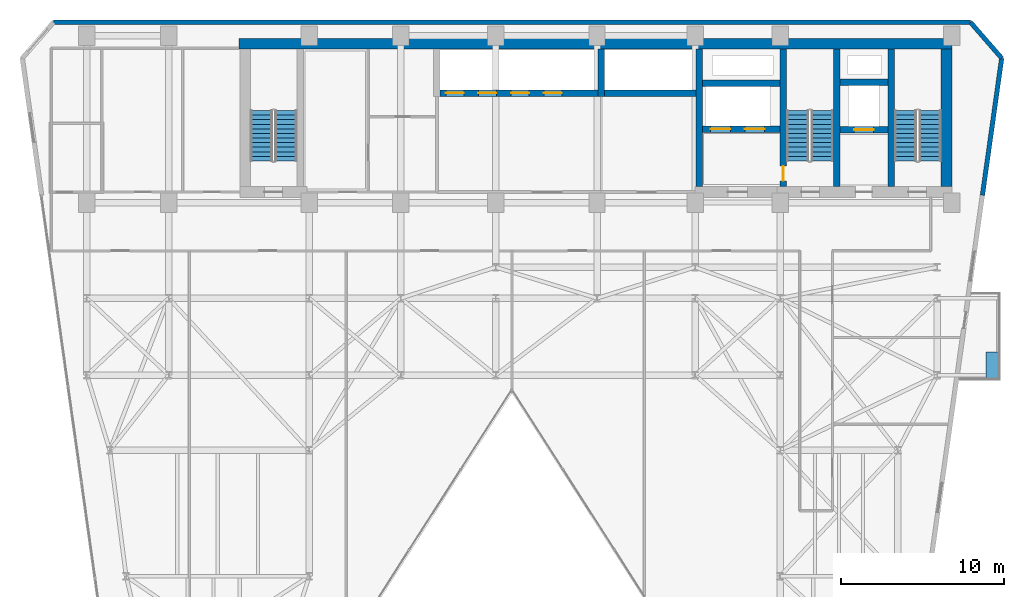
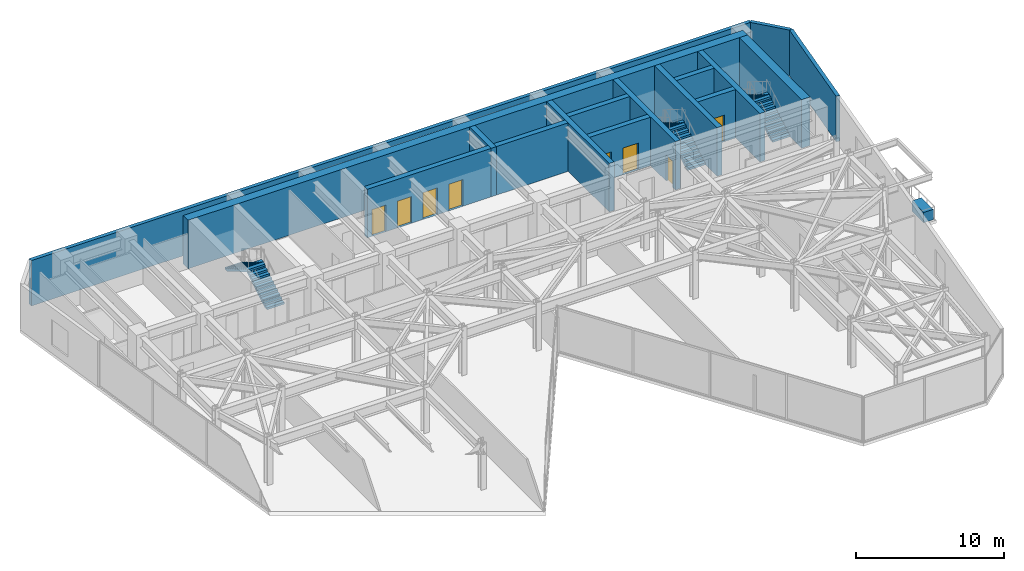
# One storey, part 23 of 26: 16 walls, 8 doors, 6 stair flights, 1 discrete accessory, 8 openings, 3 elements without a shape of their own.
"""IFC4 building model written with IfcOpenShell, lengths in metres."""

from ifc_helpers import new_model, si_unit, direction, frame, frame_2d, origin, origin_2d, place, context, subcontext, project, spatial, polyline, rectangle, outline, extrude, material, layer, layer_set, type_object, element, fill, aggregate, save


model = new_model("IFC4")

# Units and contexts
model_context = context("Model", 3, precision=1e-05, world=origin(), true_north=direction((0.0, 1.0)))
body_context = subcontext(model_context, "Body", "Model", "MODEL_VIEW")
ifc_project = project(units=[si_unit("LENGTHUNIT", "METRE"), si_unit("AREAUNIT", "SQUARE_METRE"), si_unit("VOLUMEUNIT", "CUBIC_METRE"), si_unit("PLANEANGLEUNIT", "RADIAN"), si_unit("MASSUNIT", "GRAM", prefix="KILO")], contexts=[model_context])

# Site, building, storey
site_placement = place(None, origin())
site = spatial("IfcSite", under=ifc_project, at=site_placement, CompositionType="ELEMENT")
building_placement = place(site_placement, origin())
building = spatial("IfcBuilding", under=site, at=building_placement, Name="Kravanh Interchange Tower", CompositionType="ELEMENT")
storey_placement = place(building_placement, frame((0.0, 0.0, 128.0)))
storey = spatial("IfcBuildingStorey", under=building, at=storey_placement, Name="L30", CompositionType="ELEMENT", Elevation=128.0)

# Walls
ifc_material_1 = material(Name="Concrete C70/85", Category="concrete")
ifc_layer_1 = layer(ifc_material_1, 0.64990234375)
ifc_layer_set_1 = layer_set([ifc_layer_1], Name="Core Shear Wall Concrete C70/85 650mm")
wall_type_1 = type_object("IfcWallType", Name="Core Shear Wall Concrete C70/85 650mm", PredefinedType="SHEAR", material=ifc_layer_set_1)
wall_1_placement = place(storey_placement, frame((22.89990234375, 47.074951171875, 0.0), z_axis=(0.0, 0.0, 1.0), x_axis=(1.0, 0.0, 0.0)))
element("IfcWall", 1, at=wall_1_placement, inside=storey, type_object=wall_type_1, Name="L30 North Core Shear Wall", PredefinedType="SHEAR", context=body_context, shape_type="SweptSolid", body=[
    extrude(rectangle(XDim=43.60009765625, YDim=0.64990234375, at=frame_2d((21.800048828125, 0.0))), origin(), (0.0, 0.0, 1.0), 4.0),
])
wall_2_placement = place(storey_placement, frame((66.175048828125, 38.324951171875, 0.0), z_axis=(0.0, 0.0, 1.0), x_axis=(0.0, 1.0, 0.0)))
element("IfcWall", 2, at=wall_2_placement, inside=storey, type_object=wall_type_1, Name="L30 Stair ST1 East Shear Wall", PredefinedType="SHEAR", context=body_context, shape_type="SweptSolid", body=[
    extrude(rectangle(XDim=8.425048828125, YDim=0.64990234375, at=frame_2d((4.21240234375, 0.0))), origin(), (0.0, 0.0, 1.0), 4.0),
])
ifc_material_2 = material(Name="Concrete C80/95", Category="concrete")
ifc_layer_2 = layer(ifc_material_2, 0.39990234375)
ifc_layer_set_2 = layer_set([ifc_layer_2], Name="Core Shear Wall Concrete C80/95 400mm")
wall_type_2 = type_object("IfcWallType", Name="Core Shear Wall Concrete C80/95 400mm", PredefinedType="SHEAR", material=ifc_layer_set_2)
for number, where, z_axis, x_axis, name in (
    (3, (62.800048828125, 38.324951171875, 0.0), (0.0, 0.0, 1.0), (0.0, 1.0, 0.0), "L30 Stair ST1 West Shear Wall"),
    (4, (59.449951171875, 38.324951171875, 0.0), (0.0, 0.0, 1.0), (0.0, 1.0, 0.0), "L30 Stair ST2 East Shear Wall"),
):
    element("IfcWall", number, at=place(storey_placement, frame(where, z_axis=z_axis, x_axis=x_axis)), inside=storey, type_object=wall_type_2, Name=name, PredefinedType="SHEAR", context=body_context, shape_type="SweptSolid", body=[
        extrude(rectangle(XDim=8.425048828125, YDim=0.39990234375, at=frame_2d((4.21240234375, 0.0))), origin(), (0.0, 0.0, 1.0), 4.0),
    ])

# Wall, opening, door
wall_3_placement = place(storey_placement, frame((56.199951171875, 38.324951171875, 0.0), z_axis=(0.0, 0.0, 1.0), x_axis=(0.0, 1.0, 0.0)))
wall_3 = element("IfcWall", 5, at=wall_3_placement, inside=storey, type_object=wall_type_2, Name="L30 Stair ST2 West Shear Wall", PredefinedType="SHEAR", context=body_context, shape_type="SweptSolid", body=[
    extrude(rectangle(XDim=8.425048828125, YDim=0.39990234375, at=frame_2d((4.21240234375, 0.0))), origin(), (0.0, 0.0, 1.0), 4.0),
])
opening_1_placement = place(wall_3_placement, frame((0.35498046875, 0.0, 0.0)))
opening_1 = element("IfcOpeningElement", 6, at=opening_1_placement, cuts=wall_3, Name="Opening D-STAIR-90", PredefinedType="OPENING", context=body_context, shape_type="SweptSolid", body=[
    extrude(rectangle(XDim=0.89990234375, YDim=2.14990234375, at=frame_2d((0.449951171875, 1.074951171875))), frame((0.0, 0.2099609375, 0.0), z_axis=(0.0, -1.0, 0.0), x_axis=(1.0, 0.0, 0.0)), (0.0, 0.0, 1.0), 0.419921875),
])
ifc_material_3 = material(Name="Structural Steel S355", Category="steel")
door_type_1 = type_object("IfcDoorType", Name="Fire-Rated Stair Lobby Door 900x2150", OperationType="NOTDEFINED", PredefinedType="DOOR", material=ifc_material_3)
door_1_placement = place(opening_1_placement, origin())
door_1 = element("IfcDoor", 7, at=door_1_placement, inside=storey, type_object=door_type_1, Name="L30 Firefighting Lobby to Stair ST2 Door", OperationType="SINGLE_SWING_LEFT", OverallHeight=2.14990234375, OverallWidth=0.89990234375, PredefinedType="DOOR", context=body_context, shape_type="SweptSolid", body=[
    extrude(rectangle(XDim=0.89990234375, YDim=2.14990234375, at=frame_2d((0.449951171875, 1.074951171875))), frame((0.0, 0.02490234375, 0.0), z_axis=(0.0, -1.0, 0.0), x_axis=(1.0, 0.0, 0.0)), (0.0, 0.0, 1.0), 0.050048828125),
])
fill(opening_1, door_1)

wall_4_placement = place(storey_placement, frame((59.64990234375, 41.800048828125, 0.0), z_axis=(0.0, 0.0, 1.0), x_axis=(1.0, 0.0, 0.0)))
wall_4 = element("IfcWall", 8, at=wall_4_placement, inside=storey, type_object=wall_type_2, Name="L30 Service Lift Shaft South Wall", PredefinedType="SHEAR", context=body_context, shape_type="SweptSolid", body=[
    extrude(rectangle(XDim=2.9501953125, YDim=0.39990234375, at=frame_2d((1.47509765625, 0.0))), origin(), (0.0, 0.0, 1.0), 4.0),
])
opening_2_placement = place(wall_4_placement, frame((0.8701171875, 0.0, 0.0)))
opening_2 = element("IfcOpeningElement", 9, at=opening_2_placement, cuts=wall_4, Name="Opening LD02", PredefinedType="OPENING", context=body_context, shape_type="SweptSolid", body=[
    extrude(rectangle(XDim=1.199951171875, YDim=2.199951171875, at=frame_2d((0.60009765625, 1.10009765625))), frame((0.0, 0.2099609375, 0.0), z_axis=(0.0, -1.0, 0.0), x_axis=(1.0, 0.0, 0.0)), (0.0, 0.0, 1.0), 0.419921875),
])
ifc_material_4 = material(Name="Stainless Steel 316", Category="steel")
door_type_2 = type_object("IfcDoorType", Name="Fire and Service Lift Sliding Landing Door 1200x2200", OperationType="DOUBLE_DOOR_SLIDING", PredefinedType="DOOR", material=ifc_material_4)
door_2_placement = place(opening_2_placement, origin())
door_2 = element("IfcDoor", 10, at=door_2_placement, inside=storey, type_object=door_type_2, Name="L30 Lift LS-01 Landing Door", OperationType="DOUBLE_DOOR_SLIDING", OverallHeight=2.199951171875, OverallWidth=1.199951171875, PredefinedType="DOOR", context=body_context, shape_type="SweptSolid", body=[
    extrude(rectangle(XDim=1.199951171875, YDim=2.199951171875, at=frame_2d((0.60009765625, 1.10009765625))), frame((0.0, 0.02490234375, 0.0), z_axis=(0.0, -1.0, 0.0), x_axis=(1.0, 0.0, 0.0)), (0.0, 0.0, 1.0), 0.050048828125),
])
fill(opening_2, door_2)

# Wall
wall_5_placement = place(storey_placement, frame((59.64990234375, 44.699951171875, 0.0), z_axis=(0.0, 0.0, 1.0), x_axis=(1.0, 0.0, 0.0)))
element("IfcWall", 11, at=wall_5_placement, inside=storey, type_object=wall_type_2, Name="L30 Service Lift Shaft North Wall", PredefinedType="SHEAR", context=body_context, shape_type="SweptSolid", body=[
    extrude(rectangle(XDim=2.9501953125, YDim=0.39990234375, at=frame_2d((1.47509765625, 0.0))), origin(), (0.0, 0.0, 1.0), 4.0),
])

# Wall, openings, doors
wall_6_placement = place(storey_placement, frame((51.25, 41.85009765625, 0.0), z_axis=(0.0, 0.0, 1.0), x_axis=(1.0, 0.0, 0.0)))
wall_6 = element("IfcWall", 12, at=wall_6_placement, inside=storey, type_object=wall_type_2, Name="L30 Fire Lift Shaft South Wall", PredefinedType="SHEAR", context=body_context, shape_type="SweptSolid", body=[
    extrude(rectangle(XDim=4.75, YDim=0.39990234375, at=frame_2d((2.375, 0.0))), origin(), (0.0, 0.0, 1.0), 4.0),
])
opening_3_placement = place(wall_6_placement, frame((0.5, 0.0, 0.0)))
opening_3 = element("IfcOpeningElement", 13, at=opening_3_placement, cuts=wall_6, Name="Opening LD02", PredefinedType="OPENING", context=body_context, shape_type="SweptSolid", body=[
    extrude(rectangle(XDim=1.199951171875, YDim=2.199951171875, at=frame_2d((0.60009765625, 1.10009765625))), frame((0.0, 0.2099609375, 0.0), z_axis=(0.0, -1.0, 0.0), x_axis=(1.0, 0.0, 0.0)), (0.0, 0.0, 1.0), 0.419921875),
])
opening_4_placement = place(wall_6_placement, frame((2.60009765625, 0.0, 0.0)))
opening_4 = element("IfcOpeningElement", 14, at=opening_4_placement, cuts=wall_6, Name="Opening LD02", PredefinedType="OPENING", context=body_context, shape_type="SweptSolid", body=[
    extrude(rectangle(XDim=1.199951171875, YDim=2.199951171875, at=frame_2d((0.60009765625, 1.10009765625))), frame((0.0, 0.2099609375, 0.0), z_axis=(0.0, -1.0, 0.0), x_axis=(1.0, 0.0, 0.0)), (0.0, 0.0, 1.0), 0.419921875),
])
door_3_placement = place(opening_3_placement, origin())
door_3 = element("IfcDoor", 15, at=door_3_placement, inside=storey, type_object=door_type_2, Name="L30 Lift FSAE-01 Landing Door", OperationType="DOUBLE_DOOR_SLIDING", OverallHeight=2.199951171875, OverallWidth=1.199951171875, PredefinedType="DOOR", context=body_context, shape_type="SweptSolid", body=[
    extrude(rectangle(XDim=1.199951171875, YDim=2.199951171875, at=frame_2d((0.60009765625, 1.10009765625))), frame((0.0, 0.02490234375, 0.0), z_axis=(0.0, -1.0, 0.0), x_axis=(1.0, 0.0, 0.0)), (0.0, 0.0, 1.0), 0.050048828125),
])
fill(opening_3, door_3)
door_4_placement = place(opening_4_placement, origin())
door_4 = element("IfcDoor", 16, at=door_4_placement, inside=storey, type_object=door_type_2, Name="L30 Lift FSAE-02 Landing Door", OperationType="DOUBLE_DOOR_SLIDING", OverallHeight=2.199951171875, OverallWidth=1.199951171875, PredefinedType="DOOR", context=body_context, shape_type="SweptSolid", body=[
    extrude(rectangle(XDim=1.199951171875, YDim=2.199951171875, at=frame_2d((0.60009765625, 1.10009765625))), frame((0.0, 0.02490234375, 0.0), z_axis=(0.0, -1.0, 0.0), x_axis=(1.0, 0.0, 0.0)), (0.0, 0.0, 1.0), 0.050048828125),
])
fill(opening_4, door_4)

# Walls
wall_7_placement = place(storey_placement, frame((51.25, 44.64990234375, 0.0), z_axis=(0.0, 0.0, 1.0), x_axis=(1.0, 0.0, 0.0)))
element("IfcWall", 17, at=wall_7_placement, inside=storey, type_object=wall_type_2, Name="L30 Fire Lift Shaft North Wall", PredefinedType="SHEAR", context=body_context, shape_type="SweptSolid", body=[
    extrude(rectangle(XDim=4.75, YDim=0.39990234375, at=frame_2d((2.375, 0.0))), origin(), (0.0, 0.0, 1.0), 4.0),
])
wall_8_placement = place(storey_placement, frame((51.050048828125, 38.324951171875, 0.0), z_axis=(0.0, 0.0, 1.0), x_axis=(0.0, 1.0, 0.0)))
element("IfcWall", 18, at=wall_8_placement, inside=storey, type_object=wall_type_2, Name="L30 Firefighting Lobby West Wall", PredefinedType="SHEAR", context=body_context, shape_type="SweptSolid", body=[
    extrude(rectangle(XDim=8.425048828125, YDim=0.39990234375, at=frame_2d((4.21240234375, 0.0))), origin(), (0.0, 0.0, 1.0), 4.0),
])
wall_9_placement = place(storey_placement, frame((45.25, 44.050048828125, 0.0), z_axis=(0.0, 0.0, 1.0), x_axis=(1.0, 0.0, 0.0)))
element("IfcWall", 19, at=wall_9_placement, inside=storey, type_object=wall_type_2, Name="L30 High-Rise Lift Shaft South Wall", PredefinedType="SHEAR", context=body_context, shape_type="SweptSolid", body=[
    extrude(rectangle(XDim=5.60009765625, YDim=0.39990234375, at=frame_2d((2.800048828125, 0.0))), origin(), (0.0, 0.0, 1.0), 4.0),
])
wall_10_placement = place(storey_placement, frame((45.050048828125, 43.85009765625, 0.0), z_axis=(0.0, 0.0, 1.0), x_axis=(0.0, 1.0, 0.0)))
element("IfcWall", 20, at=wall_10_placement, inside=storey, type_object=wall_type_2, Name="L30 High-Rise Lift Shaft West Wall", PredefinedType="SHEAR", context=body_context, shape_type="SweptSolid", body=[
    extrude(rectangle(XDim=2.89990234375, YDim=0.39990234375, at=frame_2d((1.449951171875, 0.0))), origin(), (0.0, 0.0, 1.0), 4.0),
])

# Wall, openings, doors
wall_11_placement = place(storey_placement, frame((35.199951171875, 44.050048828125, 0.0), z_axis=(0.0, 0.0, 1.0), x_axis=(1.0, 0.0, 0.0)))
wall_11 = element("IfcWall", 21, at=wall_11_placement, inside=storey, type_object=wall_type_2, Name="L30 Mid-Rise Lift Shaft South Wall", PredefinedType="SHEAR", context=body_context, shape_type="SweptSolid", body=[
    extrude(rectangle(XDim=9.650146484375, YDim=0.39990234375, at=frame_2d((4.8251953125, 0.0))), origin(), (0.0, 0.0, 1.0), 4.0),
])
opening_5_placement = place(wall_11_placement, frame((0.35009765625, 0.0, 0.0)))
opening_5 = element("IfcOpeningElement", 22, at=opening_5_placement, cuts=wall_11, Name="Opening LD01", PredefinedType="OPENING", context=body_context, shape_type="SweptSolid", body=[
    extrude(rectangle(XDim=1.10009765625, YDim=2.199951171875, at=frame_2d((0.550048828125, 1.10009765625))), frame((0.0, 0.2099609375, 0.0), z_axis=(0.0, -1.0, 0.0), x_axis=(1.0, 0.0, 0.0)), (0.0, 0.0, 1.0), 0.419921875),
])
opening_6_placement = place(wall_11_placement, frame((2.35009765625, 0.0, 0.0)))
opening_6 = element("IfcOpeningElement", 23, at=opening_6_placement, cuts=wall_11, Name="Opening LD01", PredefinedType="OPENING", context=body_context, shape_type="SweptSolid", body=[
    extrude(rectangle(XDim=1.10009765625, YDim=2.199951171875, at=frame_2d((0.550048828125, 1.10009765625))), frame((0.0, 0.2099609375, 0.0), z_axis=(0.0, -1.0, 0.0), x_axis=(1.0, 0.0, 0.0)), (0.0, 0.0, 1.0), 0.419921875),
])
opening_7_placement = place(wall_11_placement, frame((4.35009765625, 0.0, 0.0)))
opening_7 = element("IfcOpeningElement", 24, at=opening_7_placement, cuts=wall_11, Name="Opening LD01", PredefinedType="OPENING", context=body_context, shape_type="SweptSolid", body=[
    extrude(rectangle(XDim=1.10009765625, YDim=2.199951171875, at=frame_2d((0.550048828125, 1.10009765625))), frame((0.0, 0.2099609375, 0.0), z_axis=(0.0, -1.0, 0.0), x_axis=(1.0, 0.0, 0.0)), (0.0, 0.0, 1.0), 0.419921875),
])
opening_8_placement = place(wall_11_placement, frame((6.35009765625, 0.0, 0.0)))
opening_8 = element("IfcOpeningElement", 25, at=opening_8_placement, cuts=wall_11, Name="Opening LD01", PredefinedType="OPENING", context=body_context, shape_type="SweptSolid", body=[
    extrude(rectangle(XDim=1.10009765625, YDim=2.199951171875, at=frame_2d((0.550048828125, 1.10009765625))), frame((0.0, 0.2099609375, 0.0), z_axis=(0.0, -1.0, 0.0), x_axis=(1.0, 0.0, 0.0)), (0.0, 0.0, 1.0), 0.419921875),
])
ifc_material_5 = material(Name="Stainless Steel 304", Category="steel")
door_type_3 = type_object("IfcDoorType", Name="Passenger Lift Sliding Landing Door 1100x2200", OperationType="DOUBLE_DOOR_SLIDING", PredefinedType="DOOR", material=ifc_material_5)
door_5_placement = place(opening_5_placement, origin())
door_5 = element("IfcDoor", 26, at=door_5_placement, inside=storey, type_object=door_type_3, Name="L30 Lift LP-M1 Landing Door", OperationType="DOUBLE_DOOR_SLIDING", OverallHeight=2.199951171875, OverallWidth=1.10009765625, PredefinedType="DOOR", context=body_context, shape_type="SweptSolid", body=[
    extrude(rectangle(XDim=1.10009765625, YDim=2.199951171875, at=frame_2d((0.550048828125, 1.10009765625))), frame((0.0, 0.02490234375, 0.0), z_axis=(0.0, -1.0, 0.0), x_axis=(1.0, 0.0, 0.0)), (0.0, 0.0, 1.0), 0.050048828125),
])
fill(opening_5, door_5)
door_6_placement = place(opening_6_placement, origin())
door_6 = element("IfcDoor", 27, at=door_6_placement, inside=storey, type_object=door_type_3, Name="L30 Lift LP-M2 Landing Door", OperationType="DOUBLE_DOOR_SLIDING", OverallHeight=2.199951171875, OverallWidth=1.10009765625, PredefinedType="DOOR", context=body_context, shape_type="SweptSolid", body=[
    extrude(rectangle(XDim=1.10009765625, YDim=2.199951171875, at=frame_2d((0.550048828125, 1.10009765625))), frame((0.0, 0.02490234375, 0.0), z_axis=(0.0, -1.0, 0.0), x_axis=(1.0, 0.0, 0.0)), (0.0, 0.0, 1.0), 0.050048828125),
])
fill(opening_6, door_6)
door_7_placement = place(opening_7_placement, origin())
door_7 = element("IfcDoor", 28, at=door_7_placement, inside=storey, type_object=door_type_3, Name="L30 Lift LP-M3 Landing Door", OperationType="DOUBLE_DOOR_SLIDING", OverallHeight=2.199951171875, OverallWidth=1.10009765625, PredefinedType="DOOR", context=body_context, shape_type="SweptSolid", body=[
    extrude(rectangle(XDim=1.10009765625, YDim=2.199951171875, at=frame_2d((0.550048828125, 1.10009765625))), frame((0.0, 0.02490234375, 0.0), z_axis=(0.0, -1.0, 0.0), x_axis=(1.0, 0.0, 0.0)), (0.0, 0.0, 1.0), 0.050048828125),
])
fill(opening_7, door_7)
door_8_placement = place(opening_8_placement, origin())
door_8 = element("IfcDoor", 29, at=door_8_placement, inside=storey, type_object=door_type_3, Name="L30 Lift LP-M4 Landing Door", OperationType="DOUBLE_DOOR_SLIDING", OverallHeight=2.199951171875, OverallWidth=1.10009765625, PredefinedType="DOOR", context=body_context, shape_type="SweptSolid", body=[
    extrude(rectangle(XDim=1.10009765625, YDim=2.199951171875, at=frame_2d((0.550048828125, 1.10009765625))), frame((0.0, 0.02490234375, 0.0), z_axis=(0.0, -1.0, 0.0), x_axis=(1.0, 0.0, 0.0)), (0.0, 0.0, 1.0), 0.050048828125),
])
fill(opening_8, door_8)

# Walls
ifc_material_6 = material(Name="Insulated Precast Concrete C40/50 with Bronze Cladding", Category="concrete")
ifc_layer_3 = layer(ifc_material_6, 0.280029296875)
ifc_layer_set_3 = layer_set([ifc_layer_3], Name="Exterior Insulated Concrete C40/50 Bronze Spandrel Wall 280mm")
wall_type_3 = type_object("IfcWallType", Name="Exterior Insulated Concrete C40/50 Bronze Spandrel Wall 280mm", PredefinedType="STANDARD", material=ifc_layer_set_3)
wall_12_placement = place(storey_placement, frame((11.5546875, 48.3798828125, 0.0), z_axis=(0.0, 0.0, 1.0), x_axis=(1.0, 0.0, 0.0)))
element("IfcWall", 30, at=wall_12_placement, inside=storey, type_object=wall_type_3, Name="L30 Exterior Wall 3", PredefinedType="STANDARD", context=body_context, shape_type="SweptSolid", body=[
    extrude(rectangle(XDim=56.090576171875, YDim=0.280029296875, at=frame_2d((28.04541015625, 0.0))), origin(), (0.0, 0.0, 1.0), 3.75),
])
wall_13_placement = place(storey_placement, frame((67.645263671875, 48.3798828125, 0.0), z_axis=(0.0, 0.0, 1.0), x_axis=(0.656070644076, -0.754699483226, 0.0)))
element("IfcWall", 31, at=wall_13_placement, inside=storey, type_object=wall_type_3, Name="L30 Exterior Wall 4", PredefinedType="STANDARD", context=body_context, shape_type="SweptSolid", body=[
    extrude(rectangle(XDim=2.908447265625, YDim=0.280029296875, at=frame_2d((1.4541015625, 0.0))), origin(), (0.0, 0.0, 1.0), 3.75),
])
wall_14_placement = place(storey_placement, frame((69.553466796875, 46.184814453125, 0.0), z_axis=(0.0, 0.0, 1.0), x_axis=(-0.139180610108, -0.990267013371, 0.0)))
element("IfcWall", 32, at=wall_14_placement, inside=storey, type_object=wall_type_3, Name="L30 Exterior Wall 5", PredefinedType="STANDARD", context=body_context, shape_type="SweptSolid", body=[
    extrude(rectangle(XDim=8.46728515625, YDim=0.280029296875, at=frame_2d((4.233642578125, 0.0))), origin(), (0.0, 0.0, 1.0), 3.75),
])

# Stair, stair flights
ifc_material_7 = material(Name="Concrete C50/60", Category="concrete")
stair_type = type_object("IfcStairType", Name="Core Fire Exit Dogleg Stair Concrete C50/60", PredefinedType="HALF_TURN_STAIR", material=ifc_material_7)
stair_1_placement = place(storey_placement, origin())
stair_1 = element("IfcStair", 33, at=stair_1_placement, inside=storey, type_object=stair_type, Name="L30 Exit Stair ST1", PredefinedType="HALF_TURN_STAIR")
ifc_material_8 = material(Name="Precast Concrete C50/60", Category="concrete")
ifc_layer_4 = layer(ifc_material_8, 0.199951171875)
ifc_layer_set_4 = layer_set([ifc_layer_4], Name="Precast Concrete C50/60 Stair Flight 1350mm")
stair_flight_type = type_object("IfcStairFlightType", Name="Precast Concrete C50/60 Stair Flight 1350mm", PredefinedType="STRAIGHT", material=ifc_layer_set_4)
stair_flight_1_placement = place(storey_placement, frame((65.175048828125, 39.89990234375, 0.0), z_axis=(0.0, 0.0, 1.0), x_axis=(0.0, 1.0, 0.0)))
stair_flight_1 = element("IfcStairFlight", 34, at=stair_flight_1_placement, type_object=stair_flight_type, Name="ST1 flight 1", NumberOfRisers=12, NumberOfTreads=11, PredefinedType="STRAIGHT", RiserHeight=0.166666667, TreadLength=0.28, context=body_context, shape_type="SweptSolid", body=[
    extrude(outline(polyline([(0.0, 0.0), (0.0, 0.166748046875), (0.280029296875, 0.166748046875), (0.280029296875, 0.333251953125), (0.56005859375, 0.333251953125), (0.56005859375, 0.5), (0.840087890625, 0.5), (0.840087890625, 0.666748046875), (1.1201171875, 0.666748046875), (1.1201171875, 0.833251953125), (1.39990234375, 0.833251953125), (1.39990234375, 1.0), (1.679931640625, 1.0), (1.679931640625, 1.166748046875), (1.9599609375, 1.166748046875), (1.9599609375, 1.333251953125), (2.239990234375, 1.333251953125), (2.239990234375, 1.5), (2.52001953125, 1.5), (2.52001953125, 1.666748046875), (2.800048828125, 1.666748046875), (2.800048828125, 1.833251953125), (3.080078125, 1.833251953125), (3.080078125, 2.0), (3.080078125, 1.658935546875), (0.29296875, 0.0), (0.0, 0.0)])), frame((0.0, 0.675048828125, 0.0), z_axis=(0.0, -1.0, 0.0), x_axis=(1.0, 0.0, 0.0)), (0.0, 0.0, 1.0), 1.35009765625),
])
stair_flight_2_placement = place(storey_placement, frame((63.675048828125, 42.97998046875, 2.0), z_axis=(0.0, 0.0, 1.0), x_axis=(0.0, -1.0, 0.0)))
stair_flight_2 = element("IfcStairFlight", 35, at=stair_flight_2_placement, type_object=stair_flight_type, Name="ST1 flight 2", NumberOfRisers=12, NumberOfTreads=11, PredefinedType="STRAIGHT", RiserHeight=0.166666667, TreadLength=0.28, context=body_context, shape_type="SweptSolid", body=[
    extrude(outline(polyline([(0.0, 0.0), (0.0, 0.166748046875), (0.280029296875, 0.166748046875), (0.280029296875, 0.333251953125), (0.56005859375, 0.333251953125), (0.56005859375, 0.5), (0.840087890625, 0.5), (0.840087890625, 0.666748046875), (1.1201171875, 0.666748046875), (1.1201171875, 0.833251953125), (1.39990234375, 0.833251953125), (1.39990234375, 1.0), (1.679931640625, 1.0), (1.679931640625, 1.166748046875), (1.9599609375, 1.166748046875), (1.9599609375, 1.333251953125), (2.239990234375, 1.333251953125), (2.239990234375, 1.5), (2.52001953125, 1.5), (2.52001953125, 1.666748046875), (2.800048828125, 1.666748046875), (2.800048828125, 1.833251953125), (3.080078125, 1.833251953125), (3.080078125, 2.0), (3.080078125, 1.658935546875), (0.29296875, 0.0), (0.0, 0.0)])), frame((0.0, 0.675048828125, 0.0), z_axis=(0.0, -1.0, 0.0), x_axis=(1.0, 0.0, 0.0)), (0.0, 0.0, 1.0), 1.35009765625),
])
aggregate(stair_1, [stair_flight_1, stair_flight_2])

stair_2_placement = place(storey_placement, origin())
stair_2 = element("IfcStair", 36, at=stair_2_placement, inside=storey, type_object=stair_type, Name="L30 Exit Stair ST2", PredefinedType="HALF_TURN_STAIR")
stair_flight_3_placement = place(storey_placement, frame((58.574951171875, 39.89990234375, 0.0), z_axis=(0.0, 0.0, 1.0), x_axis=(0.0, 1.0, 0.0)))
stair_flight_3 = element("IfcStairFlight", 37, at=stair_flight_3_placement, type_object=stair_flight_type, Name="ST2 flight 1", NumberOfRisers=12, NumberOfTreads=11, PredefinedType="STRAIGHT", RiserHeight=0.166666667, TreadLength=0.28, context=body_context, shape_type="SweptSolid", body=[
    extrude(outline(polyline([(0.0, 0.0), (0.0, 0.166748046875), (0.280029296875, 0.166748046875), (0.280029296875, 0.333251953125), (0.56005859375, 0.333251953125), (0.56005859375, 0.5), (0.840087890625, 0.5), (0.840087890625, 0.666748046875), (1.1201171875, 0.666748046875), (1.1201171875, 0.833251953125), (1.39990234375, 0.833251953125), (1.39990234375, 1.0), (1.679931640625, 1.0), (1.679931640625, 1.166748046875), (1.9599609375, 1.166748046875), (1.9599609375, 1.333251953125), (2.239990234375, 1.333251953125), (2.239990234375, 1.5), (2.52001953125, 1.5), (2.52001953125, 1.666748046875), (2.800048828125, 1.666748046875), (2.800048828125, 1.833251953125), (3.080078125, 1.833251953125), (3.080078125, 2.0), (3.080078125, 1.658935546875), (0.29296875, 0.0), (0.0, 0.0)])), frame((0.0, 0.675048828125, 0.0), z_axis=(0.0, -1.0, 0.0), x_axis=(1.0, 0.0, 0.0)), (0.0, 0.0, 1.0), 1.35009765625),
])
stair_flight_4_placement = place(storey_placement, frame((57.074951171875, 42.97998046875, 2.0), z_axis=(0.0, 0.0, 1.0), x_axis=(0.0, -1.0, 0.0)))
stair_flight_4 = element("IfcStairFlight", 38, at=stair_flight_4_placement, type_object=stair_flight_type, Name="ST2 flight 2", NumberOfRisers=12, NumberOfTreads=11, PredefinedType="STRAIGHT", RiserHeight=0.166666667, TreadLength=0.28, context=body_context, shape_type="SweptSolid", body=[
    extrude(outline(polyline([(0.0, 0.0), (0.0, 0.166748046875), (0.280029296875, 0.166748046875), (0.280029296875, 0.333251953125), (0.56005859375, 0.333251953125), (0.56005859375, 0.5), (0.840087890625, 0.5), (0.840087890625, 0.666748046875), (1.1201171875, 0.666748046875), (1.1201171875, 0.833251953125), (1.39990234375, 0.833251953125), (1.39990234375, 1.0), (1.679931640625, 1.0), (1.679931640625, 1.166748046875), (1.9599609375, 1.166748046875), (1.9599609375, 1.333251953125), (2.239990234375, 1.333251953125), (2.239990234375, 1.5), (2.52001953125, 1.5), (2.52001953125, 1.666748046875), (2.800048828125, 1.666748046875), (2.800048828125, 1.833251953125), (3.080078125, 1.833251953125), (3.080078125, 2.0), (3.080078125, 1.658935546875), (0.29296875, 0.0), (0.0, 0.0)])), frame((0.0, 0.675048828125, 0.0), z_axis=(0.0, -1.0, 0.0), x_axis=(1.0, 0.0, 0.0)), (0.0, 0.0, 1.0), 1.35009765625),
])
aggregate(stair_2, [stair_flight_3, stair_flight_4])

stair_3_placement = place(storey_placement, origin())
stair_3 = element("IfcStair", 39, at=stair_3_placement, inside=storey, type_object=stair_type, Name="L30 Exit Stair ST3", PredefinedType="HALF_TURN_STAIR")
stair_flight_5_placement = place(storey_placement, frame((25.77490234375, 39.89990234375, 0.0), z_axis=(0.0, 0.0, 1.0), x_axis=(0.0, 1.0, 0.0)))
stair_flight_5 = element("IfcStairFlight", 40, at=stair_flight_5_placement, type_object=stair_flight_type, Name="ST3 flight 1", NumberOfRisers=12, NumberOfTreads=11, PredefinedType="STRAIGHT", RiserHeight=0.166666667, TreadLength=0.28, context=body_context, shape_type="SweptSolid", body=[
    extrude(outline(polyline([(0.0, 0.0), (0.0, 0.166748046875), (0.280029296875, 0.166748046875), (0.280029296875, 0.333251953125), (0.56005859375, 0.333251953125), (0.56005859375, 0.5), (0.840087890625, 0.5), (0.840087890625, 0.666748046875), (1.1201171875, 0.666748046875), (1.1201171875, 0.833251953125), (1.39990234375, 0.833251953125), (1.39990234375, 1.0), (1.679931640625, 1.0), (1.679931640625, 1.166748046875), (1.9599609375, 1.166748046875), (1.9599609375, 1.333251953125), (2.239990234375, 1.333251953125), (2.239990234375, 1.5), (2.52001953125, 1.5), (2.52001953125, 1.666748046875), (2.800048828125, 1.666748046875), (2.800048828125, 1.833251953125), (3.080078125, 1.833251953125), (3.080078125, 2.0), (3.080078125, 1.658935546875), (0.29296875, 0.0), (0.0, 0.0)])), frame((0.0, 0.675048828125, 0.0), z_axis=(0.0, -1.0, 0.0), x_axis=(1.0, 0.0, 0.0)), (0.0, 0.0, 1.0), 1.35009765625),
])
stair_flight_6_placement = place(storey_placement, frame((24.27490234375, 42.97998046875, 2.0), z_axis=(0.0, 0.0, 1.0), x_axis=(0.0, -1.0, 0.0)))
stair_flight_6 = element("IfcStairFlight", 41, at=stair_flight_6_placement, type_object=stair_flight_type, Name="ST3 flight 2", NumberOfRisers=12, NumberOfTreads=11, PredefinedType="STRAIGHT", RiserHeight=0.166666667, TreadLength=0.28, context=body_context, shape_type="SweptSolid", body=[
    extrude(outline(polyline([(0.0, 0.0), (0.0, 0.166748046875), (0.280029296875, 0.166748046875), (0.280029296875, 0.333251953125), (0.56005859375, 0.333251953125), (0.56005859375, 0.5), (0.840087890625, 0.5), (0.840087890625, 0.666748046875), (1.1201171875, 0.666748046875), (1.1201171875, 0.833251953125), (1.39990234375, 0.833251953125), (1.39990234375, 1.0), (1.679931640625, 1.0), (1.679931640625, 1.166748046875), (1.9599609375, 1.166748046875), (1.9599609375, 1.333251953125), (2.239990234375, 1.333251953125), (2.239990234375, 1.5), (2.52001953125, 1.5), (2.52001953125, 1.666748046875), (2.800048828125, 1.666748046875), (2.800048828125, 1.833251953125), (3.080078125, 1.833251953125), (3.080078125, 2.0), (3.080078125, 1.658935546875), (0.29296875, 0.0), (0.0, 0.0)])), frame((0.0, 0.675048828125, 0.0), z_axis=(0.0, -1.0, 0.0), x_axis=(1.0, 0.0, 0.0)), (0.0, 0.0, 1.0), 1.35009765625),
])
aggregate(stair_3, [stair_flight_5, stair_flight_6])

# Discrete accessory
ifc_material_9 = material(Name="Architectural GRC Concrete C40/50 with Root Barrier", Category="concrete")
discrete_accessory_type = type_object("IfcDiscreteAccessoryType", Name="Structural Balcony Tree Planter Box Concrete C40/50 1600x750x850", PredefinedType="USERDEFINED", material=ifc_material_9)
discrete_accessory_placement = place(storey_placement, frame((68.969970703125, 27.419921875, 0.0), z_axis=(0.0, 0.0, 1.0), x_axis=(1.0, 0.0, 0.0)))
element("IfcDiscreteAccessory", 42, at=discrete_accessory_placement, inside=storey, type_object=discrete_accessory_type, Name="L30 E Balcony TREE PLANTER", ObjectType="PLANTER", PredefinedType="USERDEFINED", context=body_context, shape_type="SweptSolid", body=[
    extrude(rectangle(XDim=0.75, YDim=1.60009765625, at=origin_2d()), origin(), (0.0, 0.0, 1.0), 0.85009765625),
])

save(model, "model.ifc")
